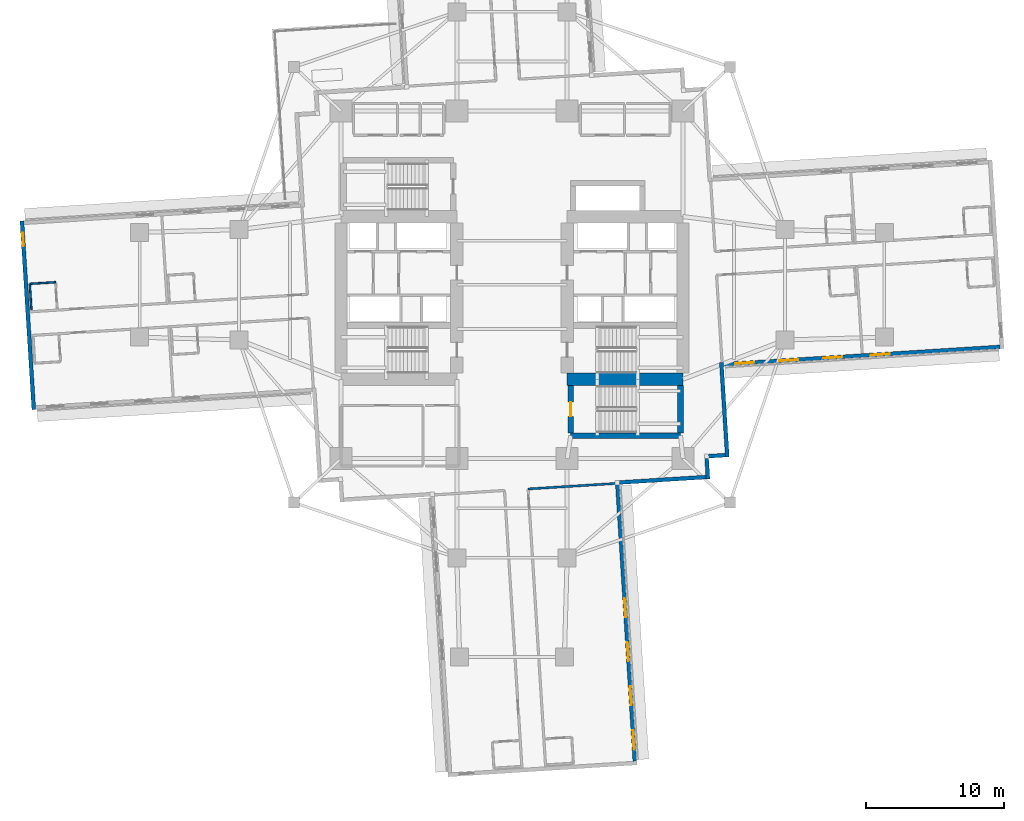
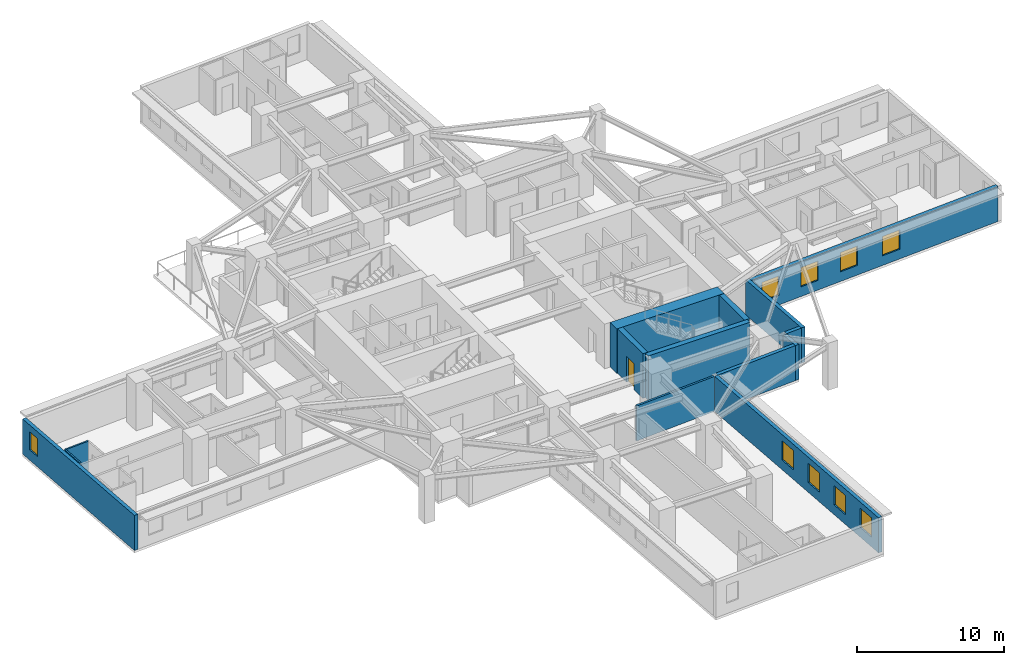
# One storey, part 4 of 14: 14 walls, 9 windows, 1 door, 10 openings.
"""IFC4 building model written with IfcOpenShell, lengths in metres."""

from ifc_helpers import new_model, si_unit, direction, frame, frame_2d, origin, place, context, subcontext, project, spatial, rectangle, extrude, material, layer, layer_set, type_object, element, fill, save


model = new_model("IFC4")

# Units and contexts
model_context = context("Model", 3, precision=1e-05, world=origin(), true_north=direction((0.0, 1.0)))
body_context = subcontext(model_context, "Body", "Model", "MODEL_VIEW")
ifc_project = project(units=[si_unit("LENGTHUNIT", "METRE"), si_unit("AREAUNIT", "SQUARE_METRE"), si_unit("VOLUMEUNIT", "CUBIC_METRE"), si_unit("PLANEANGLEUNIT", "RADIAN"), si_unit("MASSUNIT", "GRAM", prefix="KILO")], contexts=[model_context])

# Site, building, storey
site_placement = place(None, origin())
site = spatial("IfcSite", under=ifc_project, at=site_placement, CompositionType="ELEMENT")
building_placement = place(site_placement, origin())
building = spatial("IfcBuilding", under=site, at=building_placement, Name="Qingluan Cross Belvedere", CompositionType="ELEMENT")
storey_placement = place(building_placement, frame((0.0, 0.0, 39.300048828125)))
storey = spatial("IfcBuildingStorey", under=building, at=storey_placement, Name="L10", CompositionType="ELEMENT", Elevation=39.300048828125)

# Wall
ifc_material_1 = material(Name="Concrete C50", Category="concrete")
ifc_layer_1 = layer(ifc_material_1, 0.449951171875, Name="CoreShearWall_450")
ifc_layer_set_1 = layer_set([ifc_layer_1], Name="Concrete C50")
wall_type_1 = type_object("IfcWallType", Name="CoreShearWall_450", PredefinedType="SHEAR", material=ifc_layer_set_1)
wall_1_placement = place(storey_placement, frame((4.260009765625, -10.93994140625, 0.0), z_axis=(0.0, 0.0, 1.0), x_axis=(1.0, 0.0, 0.0)))
element("IfcWall", 1, at=wall_1_placement, inside=storey, type_object=wall_type_1, Name="Stair ST4 structural wall S L10", PredefinedType="SHEAR", context=body_context, shape_type="SweptSolid", body=[
    extrude(rectangle(XDim=7.9599609375, YDim=0.39990234375, at=frame_2d((3.97998046875, 0.0))), origin(), (0.0, 0.0, 1.0), 3.699951171875),
])

# Wall, opening, door
wall_2_placement = place(storey_placement, frame((4.260009765625, -10.735107421875, 0.0), z_axis=(0.0, 0.0, 1.0), x_axis=(0.0, 1.0, 0.0)))
wall_2 = element("IfcWall", 2, at=wall_2_placement, inside=storey, type_object=wall_type_1, Name="Stair ST4 structural wall W L10", PredefinedType="SHEAR", context=body_context, shape_type="SweptSolid", body=[
    extrude(rectangle(XDim=3.43017578125, YDim=0.39990234375, at=frame_2d((1.715087890625, 0.0))), origin(), (0.0, 0.0, 1.0), 3.699951171875),
])
opening_1_placement = place(wall_2_placement, frame((1.18505859375, 0.0, 0.0)))
opening_1 = element("IfcOpeningElement", 3, at=opening_1_placement, cuts=wall_2, Name="Opening FD-B11", PredefinedType="OPENING", context=body_context, shape_type="SweptSolid", body=[
    extrude(rectangle(XDim=1.050048828125, YDim=2.14990234375, at=frame_2d((0.52490234375, 1.074951171875))), frame((0.0, 0.2099609375, 0.0), z_axis=(0.0, -1.0, 0.0), x_axis=(1.0, 0.0, 0.0)), (0.0, 0.0, 1.0), 0.419921875),
])
ifc_material_2 = material(Name="Steel Class B smoke-seal fire door", Category="steel")
door_type = type_object("IfcDoorType", Name="StairLobbyFireDoor_FDB", OperationType="NOTDEFINED", PredefinedType="DOOR", material=ifc_material_2)
door_placement = place(opening_1_placement, origin())
door = element("IfcDoor", 4, at=door_placement, inside=storey, type_object=door_type, Name="Smoke-proof stair ST4 fire door L10", OperationType="SINGLE_SWING_LEFT", OverallHeight=2.14990234375, OverallWidth=1.050048828125, PredefinedType="DOOR", context=body_context, shape_type="SweptSolid", body=[
    extrude(rectangle(XDim=1.050048828125, YDim=2.14990234375, at=frame_2d((0.52490234375, 1.074951171875))), frame((0.0, 0.02490234375, 0.0), z_axis=(0.0, -1.0, 0.0), x_axis=(1.0, 0.0, 0.0)), (0.0, 0.0, 1.0), 0.050048828125),
])
fill(opening_1, door)

# Walls
wall_3_placement = place(storey_placement, frame((12.219970703125, -10.735107421875, 0.0), z_axis=(0.0, 0.0, 1.0), x_axis=(0.0, 1.0, 0.0)))
element("IfcWall", 5, at=wall_3_placement, inside=storey, type_object=wall_type_1, Name="Stair ST4 structural wall E L10", PredefinedType="SHEAR", context=body_context, shape_type="SweptSolid", body=[
    extrude(rectangle(XDim=3.43017578125, YDim=0.39990234375, at=frame_2d((1.715087890625, 0.0))), origin(), (0.0, 0.0, 1.0), 3.699951171875),
])
ifc_material_3 = material(Name="Concrete C70", Category="concrete")
ifc_layer_2 = layer(ifc_material_3, 0.89990234375, Name="CoreShearWall_900")
ifc_layer_set_2 = layer_set([ifc_layer_2], Name="Concrete C70")
wall_type_2 = type_object("IfcWallType", Name="CoreShearWall_900", PredefinedType="SHEAR", material=ifc_layer_set_2)
wall_4_placement = place(storey_placement, frame((4.0, -6.85009765625, 0.0), z_axis=(0.0, 0.0, 1.0), x_axis=(1.0, 0.0, 0.0)))
element("IfcWall", 6, at=wall_4_placement, inside=storey, type_object=wall_type_2, Name="Split core E shear wall L10-S", PredefinedType="SHEAR", context=body_context, shape_type="SweptSolid", body=[
    extrude(rectangle(XDim=8.39990234375, YDim=0.89990234375, at=frame_2d((4.199951171875, 0.0))), origin(), (0.0, 0.0, 1.0), 3.699951171875),
])
ifc_material_4 = material(Name="Gypsum plasterboard on steel stud acoustic partition", Category="steel")
ifc_layer_3 = layer(ifc_material_4, 0.159912109375, Name="CorridorPartition_160")
ifc_layer_set_3 = layer_set([ifc_layer_3], Name="Gypsum plasterboard on steel stud acoustic partition")
wall_type_3 = type_object("IfcWallType", Name="CorridorPartition_160", PredefinedType="PARTITIONING", material=ifc_layer_set_3)
wall_5_placement = place(storey_placement, frame((1.172119140625, -14.8056640625, 0.0), z_axis=(0.0, 0.0, 1.0), x_axis=(0.998025657815, 0.06280753413, 0.0)))
element("IfcWall", 7, at=wall_5_placement, inside=storey, type_object=wall_type_3, Name="Partition L10:S:s0", PredefinedType="PARTITIONING", context=body_context, shape_type="SweptSolid", body=[
    extrude(rectangle(XDim=6.479736328125, YDim=0.159912109375, at=frame_2d((3.23974609375, 0.0))), origin(), (0.0, 0.0, 1.0), 2.89990234375),
])
ifc_material_5 = material(Name="Moisture-resistant gypsum board lining")
ifc_layer_4 = layer(ifc_material_5, 0.1201171875, Name="EnsuiteWetPartition_120")
ifc_layer_set_4 = layer_set([ifc_layer_4], Name="Moisture-resistant gypsum board lining")
wall_type_4 = type_object("IfcWallType", Name="EnsuiteWetPartition_120", PredefinedType="PARTITIONING", material=ifc_layer_set_4)
wall_6_placement = place(storey_placement, frame((-34.85498046875, -1.81201171875, 0.0), z_axis=(0.0, 0.0, 1.0), x_axis=(-0.062779145668, 0.998027443946, 0.0)))
element("IfcWall", 8, at=wall_6_placement, inside=storey, type_object=wall_type_4, Name="Partition L10:W:bw0_1", PredefinedType="PARTITIONING", context=body_context, shape_type="SweptSolid", body=[
    extrude(rectangle(XDim=1.820068359375, YDim=0.1201171875, at=frame_2d((0.91015625, 0.0))), origin(), (0.0, 0.0, 1.0), 2.89990234375),
])
wall_7_placement = place(storey_placement, frame((-33.09716796875, 0.187255859375, 0.0), z_axis=(0.0, 0.0, 1.0), x_axis=(-0.998022650819, -0.062855297722, 0.0)))
element("IfcWall", 9, at=wall_7_placement, inside=storey, type_object=wall_type_4, Name="Partition L10:W:bn0_1", PredefinedType="PARTITIONING", context=body_context, shape_type="SweptSolid", body=[
    extrude(rectangle(XDim=1.8798828125, YDim=0.1201171875, at=frame_2d((0.93994140625, 0.0))), origin(), (0.0, 0.0, 1.0), 2.89990234375),
])

# Wall, openings, windows
ifc_material_6 = material(Name="Precast concrete C45", Category="concrete")
ifc_layer_5 = layer(ifc_material_6, 0.280029296875, Name="PrecastFacadeWall_280")
ifc_layer_set_5 = layer_set([ifc_layer_5], Name="Precast concrete C45")
wall_type_5 = type_object("IfcWallType", Name="PrecastFacadeWall_280", PredefinedType="STANDARD", material=ifc_layer_set_5)
wall_8_placement = place(storey_placement, frame((15.33251953125, -5.7685546875, 0.0), z_axis=(0.0, 0.0, 1.0), x_axis=(0.998027116198, 0.062784355807, 0.0)))
wall_8 = element("IfcWall", 10, at=wall_8_placement, inside=storey, type_object=wall_type_5, Name="Facade wall L10-EA", PredefinedType="STANDARD", context=body_context, shape_type="SweptSolid", body=[
    extrude(rectangle(XDim=20.099853515625, YDim=0.280029296875, at=frame_2d((10.0498046875, 0.0))), origin(), (0.0, 0.0, 1.0), 2.909912109375),
])
opening_2_placement = place(wall_8_placement, frame((0.85009765625, 0.0, 0.800048828125)))
opening_2 = element("IfcOpeningElement", 11, at=opening_2_placement, cuts=wall_8, Name="Opening W-01", PredefinedType="OPENING", context=body_context, shape_type="SweptSolid", body=[
    extrude(rectangle(XDim=1.39990234375, YDim=1.60009765625, at=frame_2d((0.699951171875, 0.800048828125))), frame((0.0, 0.14990234375, 0.0), z_axis=(0.0, -1.0, 0.0), x_axis=(1.0, 0.0, 0.0)), (0.0, 0.0, 1.0), 0.300048828125),
])
opening_3_placement = place(wall_8_placement, frame((4.050048828125, 0.0, 0.800048828125)))
opening_3 = element("IfcOpeningElement", 12, at=opening_3_placement, cuts=wall_8, Name="Opening W-01", PredefinedType="OPENING", context=body_context, shape_type="SweptSolid", body=[
    extrude(rectangle(XDim=1.39990234375, YDim=1.60009765625, at=frame_2d((0.699951171875, 0.800048828125))), frame((0.0, 0.14990234375, 0.0), z_axis=(0.0, -1.0, 0.0), x_axis=(1.0, 0.0, 0.0)), (0.0, 0.0, 1.0), 0.300048828125),
])
opening_4_placement = place(wall_8_placement, frame((7.25, 0.0, 0.800048828125)))
opening_4 = element("IfcOpeningElement", 13, at=opening_4_placement, cuts=wall_8, Name="Opening W-01", PredefinedType="OPENING", context=body_context, shape_type="SweptSolid", body=[
    extrude(rectangle(XDim=1.39990234375, YDim=1.60009765625, at=frame_2d((0.699951171875, 0.800048828125))), frame((0.0, 0.14990234375, 0.0), z_axis=(0.0, -1.0, 0.0), x_axis=(1.0, 0.0, 0.0)), (0.0, 0.0, 1.0), 0.300048828125),
])
opening_5_placement = place(wall_8_placement, frame((10.699951171875, 0.0, 0.800048828125)))
opening_5 = element("IfcOpeningElement", 14, at=opening_5_placement, cuts=wall_8, Name="Opening W-01", PredefinedType="OPENING", context=body_context, shape_type="SweptSolid", body=[
    extrude(rectangle(XDim=1.39990234375, YDim=1.60009765625, at=frame_2d((0.699951171875, 0.800048828125))), frame((0.0, 0.14990234375, 0.0), z_axis=(0.0, -1.0, 0.0), x_axis=(1.0, 0.0, 0.0)), (0.0, 0.0, 1.0), 0.300048828125),
])
ifc_material_7 = material(Name="Thermally broken triple Low-E glass in aluminium frame", Category="aluminium")
window_type_1 = type_object("IfcWindowType", Name="TriRibbonWin_1400x1600", PartitioningType="SINGLE_PANEL", PredefinedType="WINDOW", material=ifc_material_7)
window_1_placement = place(opening_2_placement, origin())
window_1 = element("IfcWindow", 15, at=window_1_placement, inside=storey, type_object=window_type_1, Name="Ribbon window L10-EA-1", OverallHeight=1.60009765625, OverallWidth=1.39990234375, PartitioningType="SINGLE_PANEL", PredefinedType="WINDOW", context=body_context, shape_type="SweptSolid", body=[
    extrude(rectangle(XDim=1.39990234375, YDim=1.60009765625, at=frame_2d((0.699951171875, 0.800048828125))), frame((0.0, 0.030029296875, 0.0), z_axis=(0.0, -1.0, 0.0), x_axis=(1.0, 0.0, 0.0)), (0.0, 0.0, 1.0), 0.06005859375),
])
fill(opening_2, window_1)
window_2_placement = place(opening_3_placement, origin())
window_2 = element("IfcWindow", 16, at=window_2_placement, inside=storey, type_object=window_type_1, Name="Ribbon window L10-EA-2", OverallHeight=1.60009765625, OverallWidth=1.39990234375, PartitioningType="SINGLE_PANEL", PredefinedType="WINDOW", context=body_context, shape_type="SweptSolid", body=[
    extrude(rectangle(XDim=1.39990234375, YDim=1.60009765625, at=frame_2d((0.699951171875, 0.800048828125))), frame((0.0, 0.030029296875, 0.0), z_axis=(0.0, -1.0, 0.0), x_axis=(1.0, 0.0, 0.0)), (0.0, 0.0, 1.0), 0.06005859375),
])
fill(opening_3, window_2)
window_3_placement = place(opening_4_placement, origin())
window_3 = element("IfcWindow", 17, at=window_3_placement, inside=storey, type_object=window_type_1, Name="Ribbon window L10-EA-3", OverallHeight=1.60009765625, OverallWidth=1.39990234375, PartitioningType="SINGLE_PANEL", PredefinedType="WINDOW", context=body_context, shape_type="SweptSolid", body=[
    extrude(rectangle(XDim=1.39990234375, YDim=1.60009765625, at=frame_2d((0.699951171875, 0.800048828125))), frame((0.0, 0.030029296875, 0.0), z_axis=(0.0, -1.0, 0.0), x_axis=(1.0, 0.0, 0.0)), (0.0, 0.0, 1.0), 0.06005859375),
])
fill(opening_4, window_3)
window_4_placement = place(opening_5_placement, origin())
window_4 = element("IfcWindow", 18, at=window_4_placement, inside=storey, type_object=window_type_1, Name="Ribbon window L10-EA-4", OverallHeight=1.60009765625, OverallWidth=1.39990234375, PartitioningType="SINGLE_PANEL", PredefinedType="WINDOW", context=body_context, shape_type="SweptSolid", body=[
    extrude(rectangle(XDim=1.39990234375, YDim=1.60009765625, at=frame_2d((0.699951171875, 0.800048828125))), frame((0.0, 0.030029296875, 0.0), z_axis=(0.0, -1.0, 0.0), x_axis=(1.0, 0.0, 0.0)), (0.0, 0.0, 1.0), 0.06005859375),
])
fill(opening_5, window_4)

# Wall, opening, window
wall_9_placement = place(storey_placement, frame((-35.541259765625, 4.637451171875, 0.0), z_axis=(0.0, 0.0, 1.0), x_axis=(0.062797041623, -0.998026318072, 0.0)))
wall_9 = element("IfcWall", 19, at=wall_9_placement, inside=storey, type_object=wall_type_5, Name="Arm tip precast facade wall L10-W", PredefinedType="STANDARD", context=body_context, shape_type="SweptSolid", body=[
    extrude(rectangle(XDim=13.719970703125, YDim=0.280029296875, at=frame_2d((6.85986328125, 0.0))), origin(), (0.0, 0.0, 1.0), 2.909912109375),
])
opening_6_placement = place(wall_9_placement, frame((0.85009765625, 0.0, 0.85009765625)))
opening_6 = element("IfcOpeningElement", 20, at=opening_6_placement, cuts=wall_9, Name="Opening W-03", PredefinedType="OPENING", context=body_context, shape_type="SweptSolid", body=[
    extrude(rectangle(XDim=1.0, YDim=1.5, at=frame_2d((0.5, 0.75))), frame((0.0, 0.14990234375, 0.0), z_axis=(0.0, -1.0, 0.0), x_axis=(1.0, 0.0, 0.0)), (0.0, 0.0, 1.0), 0.300048828125),
])
ifc_material_8 = material(Name="Thermally broken triple Low-E glass in aluminium frame", Category="aluminium")
window_type_2 = type_object("IfcWindowType", Name="TriApexWin_1000x1500", PartitioningType="SINGLE_PANEL", PredefinedType="WINDOW", material=ifc_material_8)
window_5_placement = place(opening_6_placement, origin())
window_5 = element("IfcWindow", 21, at=window_5_placement, inside=storey, type_object=window_type_2, Name="Arm tip triangular window L10-W", OverallHeight=1.5, OverallWidth=1.0, PartitioningType="SINGLE_PANEL", PredefinedType="WINDOW", context=body_context, shape_type="SweptSolid", body=[
    extrude(rectangle(XDim=1.0, YDim=1.5, at=frame_2d((0.5, 0.75))), frame((0.0, 0.030029296875, 0.0), z_axis=(0.0, -1.0, 0.0), x_axis=(1.0, 0.0, 0.0)), (0.0, 0.0, 1.0), 0.06005859375),
])
fill(opening_6, window_5)

# Wall, openings, windows
wall_10_placement = place(storey_placement, frame((8.906982421875, -34.548828125, 0.0), z_axis=(0.0, 0.0, 1.0), x_axis=(-0.06279645424, 0.99802635503, 0.0)))
wall_10 = element("IfcWall", 22, at=wall_10_placement, inside=storey, type_object=wall_type_5, Name="Facade wall L10-SB", PredefinedType="STANDARD", context=body_context, shape_type="SweptSolid", body=[
    extrude(rectangle(XDim=20.099853515625, YDim=0.280029296875, at=frame_2d((10.0498046875, 0.0))), origin(), (0.0, 0.0, 1.0), 2.909912109375),
])
opening_7_placement = place(wall_10_placement, frame((0.85009765625, 0.0, 0.800048828125)))
opening_7 = element("IfcOpeningElement", 23, at=opening_7_placement, cuts=wall_10, Name="Opening W-01", PredefinedType="OPENING", context=body_context, shape_type="SweptSolid", body=[
    extrude(rectangle(XDim=1.39990234375, YDim=1.60009765625, at=frame_2d((0.699951171875, 0.800048828125))), frame((0.0, 0.14990234375, 0.0), z_axis=(0.0, -1.0, 0.0), x_axis=(1.0, 0.0, 0.0)), (0.0, 0.0, 1.0), 0.300048828125),
])
opening_8_placement = place(wall_10_placement, frame((4.050048828125, 0.0, 0.800048828125)))
opening_8 = element("IfcOpeningElement", 24, at=opening_8_placement, cuts=wall_10, Name="Opening W-01", PredefinedType="OPENING", context=body_context, shape_type="SweptSolid", body=[
    extrude(rectangle(XDim=1.39990234375, YDim=1.60009765625, at=frame_2d((0.699951171875, 0.800048828125))), frame((0.0, 0.14990234375, 0.0), z_axis=(0.0, -1.0, 0.0), x_axis=(1.0, 0.0, 0.0)), (0.0, 0.0, 1.0), 0.300048828125),
])
opening_9_placement = place(wall_10_placement, frame((7.25, 0.0, 0.800048828125)))
opening_9 = element("IfcOpeningElement", 25, at=opening_9_placement, cuts=wall_10, Name="Opening W-01", PredefinedType="OPENING", context=body_context, shape_type="SweptSolid", body=[
    extrude(rectangle(XDim=1.39990234375, YDim=1.60009765625, at=frame_2d((0.699951171875, 0.800048828125))), frame((0.0, 0.14990234375, 0.0), z_axis=(0.0, -1.0, 0.0), x_axis=(1.0, 0.0, 0.0)), (0.0, 0.0, 1.0), 0.300048828125),
])
opening_10_placement = place(wall_10_placement, frame((10.449951171875, 0.0, 0.800048828125)))
opening_10 = element("IfcOpeningElement", 26, at=opening_10_placement, cuts=wall_10, Name="Opening W-01", PredefinedType="OPENING", context=body_context, shape_type="SweptSolid", body=[
    extrude(rectangle(XDim=1.39990234375, YDim=1.60009765625, at=frame_2d((0.699951171875, 0.800048828125))), frame((0.0, 0.14990234375, 0.0), z_axis=(0.0, -1.0, 0.0), x_axis=(1.0, 0.0, 0.0)), (0.0, 0.0, 1.0), 0.300048828125),
])
window_6_placement = place(opening_7_placement, origin())
window_6 = element("IfcWindow", 27, at=window_6_placement, inside=storey, type_object=window_type_1, Name="Ribbon window L10-SB-1", OverallHeight=1.60009765625, OverallWidth=1.39990234375, PartitioningType="SINGLE_PANEL", PredefinedType="WINDOW", context=body_context, shape_type="SweptSolid", body=[
    extrude(rectangle(XDim=1.39990234375, YDim=1.60009765625, at=frame_2d((0.699951171875, 0.800048828125))), frame((0.0, 0.030029296875, 0.0), z_axis=(0.0, -1.0, 0.0), x_axis=(1.0, 0.0, 0.0)), (0.0, 0.0, 1.0), 0.06005859375),
])
fill(opening_7, window_6)
window_7_placement = place(opening_8_placement, origin())
window_7 = element("IfcWindow", 28, at=window_7_placement, inside=storey, type_object=window_type_1, Name="Ribbon window L10-SB-2", OverallHeight=1.60009765625, OverallWidth=1.39990234375, PartitioningType="SINGLE_PANEL", PredefinedType="WINDOW", context=body_context, shape_type="SweptSolid", body=[
    extrude(rectangle(XDim=1.39990234375, YDim=1.60009765625, at=frame_2d((0.699951171875, 0.800048828125))), frame((0.0, 0.030029296875, 0.0), z_axis=(0.0, -1.0, 0.0), x_axis=(1.0, 0.0, 0.0)), (0.0, 0.0, 1.0), 0.06005859375),
])
fill(opening_8, window_7)
window_8_placement = place(opening_9_placement, origin())
window_8 = element("IfcWindow", 29, at=window_8_placement, inside=storey, type_object=window_type_1, Name="Ribbon window L10-SB-3", OverallHeight=1.60009765625, OverallWidth=1.39990234375, PartitioningType="SINGLE_PANEL", PredefinedType="WINDOW", context=body_context, shape_type="SweptSolid", body=[
    extrude(rectangle(XDim=1.39990234375, YDim=1.60009765625, at=frame_2d((0.699951171875, 0.800048828125))), frame((0.0, 0.030029296875, 0.0), z_axis=(0.0, -1.0, 0.0), x_axis=(1.0, 0.0, 0.0)), (0.0, 0.0, 1.0), 0.06005859375),
])
fill(opening_9, window_8)
window_9_placement = place(opening_10_placement, origin())
window_9 = element("IfcWindow", 30, at=window_9_placement, inside=storey, type_object=window_type_1, Name="Ribbon window L10-SB-4", OverallHeight=1.60009765625, OverallWidth=1.39990234375, PartitioningType="SINGLE_PANEL", PredefinedType="WINDOW", context=body_context, shape_type="SweptSolid", body=[
    extrude(rectangle(XDim=1.39990234375, YDim=1.60009765625, at=frame_2d((0.699951171875, 0.800048828125))), frame((0.0, 0.030029296875, 0.0), z_axis=(0.0, -1.0, 0.0), x_axis=(1.0, 0.0, 0.0)), (0.0, 0.0, 1.0), 0.06005859375),
])
fill(opening_10, window_9)

# Walls
wall_11_placement = place(storey_placement, frame((15.18408203125, -5.6376953125, 0.0), z_axis=(0.0, 0.0, 1.0), x_axis=(0.062779317195, -0.998027433156, 0.0)))
element("IfcWall", 31, at=wall_11_placement, inside=storey, type_object=wall_type_5, Name="Corner wall L10-SE1", PredefinedType="STANDARD", context=body_context, shape_type="SweptSolid", body=[
    extrude(rectangle(XDim=6.85986328125, YDim=0.280029296875, at=frame_2d((3.429931640625, 0.0))), origin(), (0.0, 0.0, 1.0), 2.909912109375),
])
wall_12_placement = place(storey_placement, frame((15.46630859375, -12.353271484375, 0.0), z_axis=(0.0, 0.0, 1.0), x_axis=(-0.998024450254, -0.062826719603, 0.0)))
element("IfcWall", 32, at=wall_12_placement, inside=storey, type_object=wall_type_5, Name="Corner wall L10-SE2", PredefinedType="STANDARD", context=body_context, shape_type="SweptSolid", body=[
    extrude(rectangle(XDim=1.22021484375, YDim=0.280029296875, at=frame_2d((0.610107421875, 0.0))), origin(), (0.0, 0.0, 1.0), 2.909912109375),
])
wall_13_placement = place(storey_placement, frame((14.11767578125, -12.578369140625, 0.0), z_axis=(0.0, 0.0, 1.0), x_axis=(0.062824119533, -0.998024613927, 0.0)))
element("IfcWall", 33, at=wall_13_placement, inside=storey, type_object=wall_type_5, Name="Corner wall L10-SE3", PredefinedType="STANDARD", context=body_context, shape_type="SweptSolid", body=[
    extrude(rectangle(XDim=1.5, YDim=0.280029296875, at=frame_2d((0.75, 0.0))), origin(), (0.0, 0.0, 1.0), 2.909912109375),
])
wall_14_placement = place(storey_placement, frame((14.063232421875, -13.944580078125, 0.0), z_axis=(0.0, 0.0, 1.0), x_axis=(-0.998027314704, -0.062781200242, 0.0)))
element("IfcWall", 34, at=wall_14_placement, inside=storey, type_object=wall_type_5, Name="Corner wall L10-SE4", PredefinedType="STANDARD", context=body_context, shape_type="SweptSolid", body=[
    extrude(rectangle(XDim=6.2998046875, YDim=0.280029296875, at=frame_2d((3.14990234375, 0.0))), origin(), (0.0, 0.0, 1.0), 2.909912109375),
])

save(model, "model.ifc")
